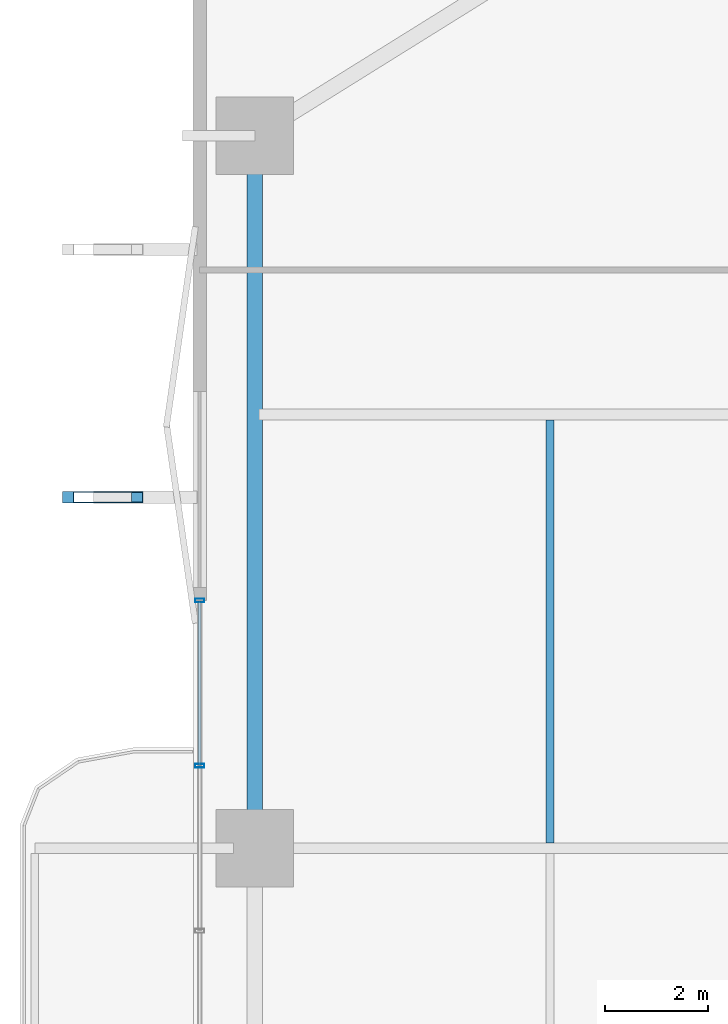
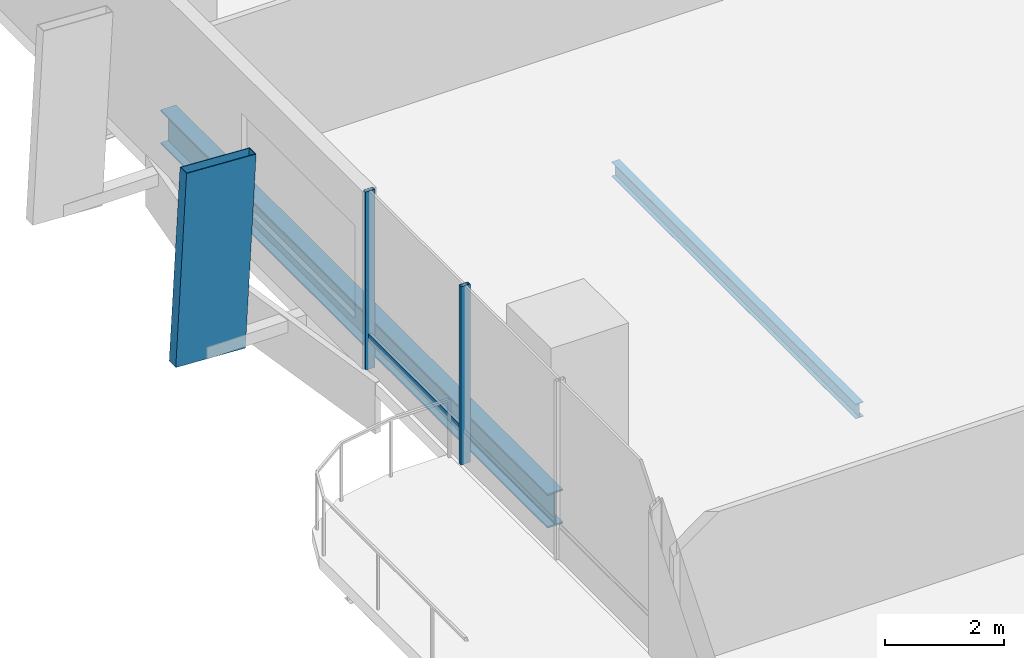
# One storey, part 9 of 24: 4 members, 2 beams, 1 element without a shape of its own.
"""IFC4 building model written with IfcOpenShell, lengths in metres."""

from ifc_helpers import new_model, si_unit, direction, frame, origin, origin_2d, place, context, subcontext, project, spatial, hollow_rectangle, i_section, extrude, material, layer, layer_set, material_profile, profile_set, type_object, element, aggregate, save


model = new_model("IFC4")

# Units and contexts
model_context = context("Model", 3, precision=1e-05, world=origin(), true_north=direction((0.0, 1.0)))
body_context = subcontext(model_context, "Body", "Model", "MODEL_VIEW")
ifc_project = project(units=[si_unit("LENGTHUNIT", "METRE"), si_unit("AREAUNIT", "SQUARE_METRE"), si_unit("VOLUMEUNIT", "CUBIC_METRE"), si_unit("PLANEANGLEUNIT", "RADIAN"), si_unit("MASSUNIT", "GRAM", prefix="KILO")], contexts=[model_context])

# Site, building, storey
site_placement = place(None, origin())
site = spatial("IfcSite", under=ifc_project, at=site_placement, CompositionType="ELEMENT")
building_placement = place(site_placement, origin())
building = spatial("IfcBuilding", under=site, at=building_placement, Name="Belovzor Exchange Tower", CompositionType="ELEMENT")
storey_placement = place(building_placement, frame((0.0, 0.0, 61.199951171875)))
storey = spatial("IfcBuildingStorey", under=building, at=storey_placement, Name="L14", CompositionType="ELEMENT", Elevation=61.199951171875)

# Member
ifc_material_1 = material(Name="Extruded Architectural Terracotta on Steel S355 Carrier", Category="masonry")
ifc_material_profile_1 = material_profile(ifc_material_1, hollow_rectangle(XDim=0.219970703125, YDim=1.35009765625, WallThickness=0.013916015625, at=origin_2d()))
ifc_profile_set_1 = profile_set([ifc_material_profile_1], Name="Extruded Architectural Terracotta on Steel S355 Carrier")
member_type_1 = type_object("IfcMemberType", Name="Base Arc Sweeping Terracotta Pylon Fin 1450", PredefinedType="USERDEFINED", material=ifc_profile_set_1)
member_1_placement = place(storey_placement, frame((-0.948974609375, 35.60009765625, -0.25), z_axis=(0.053756276307, 0.0, 0.998554086045), x_axis=(0.0, 1.0, 0.0)))
element("IfcMember", 1, at=member_1_placement, inside=storey, type_object=member_type_1, Name="FIN-TC145 Terracotta Facade Fin L14 W3", ObjectType="FIN", PredefinedType="USERDEFINED", context=body_context, shape_type="SweptSolid", body=[
    extrude(hollow_rectangle(XDim=0.219970703125, YDim=1.35009765625, WallThickness=0.013916015625, at=origin_2d()), origin(), (0.0, 0.0, 1.0), 3.90576171875),
])

# Beam
ifc_material_2 = material(Name="Steel S355", Category="steel")
ifc_material_profile_2 = material_profile(ifc_material_2, i_section(OverallWidth=0.14990234375, OverallDepth=0.300048828125, WebThickness=0.007080078125, FlangeThickness=0.0107421875, at=origin_2d()))
ifc_profile_set_2 = profile_set([ifc_material_profile_2], Name="Steel S355")
beam_type_1 = type_object("IfcBeamType", Name="Secondary Trim Floor Joist IPE 300", PredefinedType="BEAM", material=ifc_profile_set_2)
beam_1_placement = place(storey_placement, frame((7.81494140625, 28.905029296875, -0.39990234375), z_axis=(0.0, 1.0, 0.0), x_axis=(-1.0, 0.0, 0.0)))
element("IfcBeam", 2, at=beam_1_placement, inside=storey, type_object=beam_type_1, Name="FJ-300 Secondary Trim Floor Joist IPE 300", PredefinedType="BEAM", context=body_context, shape_type="SweptSolid", body=[
    extrude(i_section(OverallWidth=0.14990234375, OverallDepth=0.300048828125, WebThickness=0.007080078125, FlangeThickness=0.0107421875, at=origin_2d()), origin(), (0.0, 0.0, 1.0), 8.18994140625),
])

# Curtain wall, members
ifc_material_3 = material(Name="Anodised Aluminium Framing", Category="aluminium")
ifc_layer = layer(ifc_material_3, 0.179931640625)
ifc_layer_set = layer_set([ifc_layer], Name="Anodised Aluminium Framing")
curtain_wall_type = type_object("IfcCurtainWallType", Name="Recessed Loggia Low-Iron Triple-Glazed Curtain Wall", PredefinedType="NOTDEFINED", material=ifc_layer_set)
curtain_wall_placement = place(storey_placement, origin())
curtain_wall = element("IfcCurtainWall", 3, at=curtain_wall_placement, inside=storey, type_object=curtain_wall_type, Name="CW3 Recessed Loggia Low-Iron Triple-Glazed Curtain Wall L14", PredefinedType="NOTDEFINED")
ifc_material_4 = material(Name="Steel S355", Category="steel")
ifc_material_profile_3 = material_profile(ifc_material_4, hollow_rectangle(XDim=0.074951171875, YDim=0.179931640625, WallThickness=0.0048828125, at=origin_2d()))
ifc_profile_set_3 = profile_set([ifc_material_profile_3], Name="Steel S355")
member_type_2 = type_object("IfcMemberType", Name="Thermally Broken Curtain Wall Mullion 180x75", PredefinedType="MULLION", material=ifc_profile_set_3)
member_2_placement = place(storey_placement, frame((1.030029296875, 30.39990234375, 0.0), z_axis=(0.0, 0.0, 1.0), x_axis=(0.0, 1.0, 0.0)))
member_2 = element("IfcMember", 4, at=member_2_placement, type_object=member_type_2, Name="CW-M180 Curtain Wall Mullion 3", PredefinedType="MULLION", context=body_context, shape_type="SweptSolid", body=[
    extrude(hollow_rectangle(XDim=0.074951171875, YDim=0.179931640625, WallThickness=0.0048828125, at=origin_2d()), origin(), (0.0, 0.0, 1.0), 3.650146484375),
])
member_3_placement = place(storey_placement, frame((1.030029296875, 33.60009765625, 0.0), z_axis=(0.0, 0.0, 1.0), x_axis=(0.0, 1.0, 0.0)))
member_3 = element("IfcMember", 5, at=member_3_placement, type_object=member_type_2, Name="CW-M180 Curtain Wall Mullion 4", PredefinedType="MULLION", context=body_context, shape_type="SweptSolid", body=[
    extrude(hollow_rectangle(XDim=0.074951171875, YDim=0.179931640625, WallThickness=0.0048828125, at=origin_2d()), origin(), (0.0, 0.0, 1.0), 3.650146484375),
])
ifc_material_5 = material(Name="Steel S355", Category="steel")
ifc_material_profile_4 = material_profile(ifc_material_5, hollow_rectangle(XDim=0.06005859375, YDim=0.14990234375, WallThickness=0.00390625, at=origin_2d()))
ifc_profile_set_4 = profile_set([ifc_material_profile_4], Name="Steel S355")
member_type_3 = type_object("IfcMemberType", Name="Thermally Broken Curtain Wall Transom 150x60", PredefinedType="USERDEFINED", material=ifc_profile_set_4)
member_4_placement = place(storey_placement, frame((1.030029296875, 30.407958984375, 0.650146484375), z_axis=(0.0, 1.0, 0.0), x_axis=(-1.0, 0.0, 0.0)))
member_4 = element("IfcMember", 6, at=member_4_placement, type_object=member_type_3, Name="CW-T150 Curtain Wall Transom 3", ObjectType="TRANSOM", PredefinedType="USERDEFINED", context=body_context, shape_type="SweptSolid", body=[
    extrude(hollow_rectangle(XDim=0.06005859375, YDim=0.14990234375, WallThickness=0.00390625, at=origin_2d()), origin(), (0.0, 0.0, 1.0), 3.18408203125),
])
aggregate(curtain_wall, [member_2, member_3, member_4])

# Beam
ifc_material_6 = material(Name="Steel S355", Category="steel")
ifc_material_profile_5 = material_profile(ifc_material_6, i_section(OverallWidth=0.300048828125, OverallDepth=0.699951171875, WebThickness=0.01708984375, FlangeThickness=0.031982421875, at=origin_2d()))
ifc_profile_set_5 = profile_set([ifc_material_profile_5], Name="Steel S355")
beam_type_2 = type_object("IfcBeamType", Name="Zone 1 Primary Perimeter Girder HEB 700", PredefinedType="BEAM", material=ifc_profile_set_5)
beam_2_placement = place(storey_placement, frame((2.10009765625, 42.18798828125, -0.599853515625), z_axis=(0.0, -1.0, 0.0), x_axis=(1.0, 0.0, 0.0)))
element("IfcBeam", 7, at=beam_2_placement, inside=storey, type_object=beam_type_2, Name="FG-Z1 Zone 1 Primary Perimeter Girder HEB 700", PredefinedType="BEAM", context=body_context, shape_type="SweptSolid", body=[
    extrude(i_section(OverallWidth=0.300048828125, OverallDepth=0.699951171875, WebThickness=0.01708984375, FlangeThickness=0.031982421875, at=origin_2d()), origin(), (0.0, 0.0, 1.0), 12.97509765625),
])

save(model, "model.ifc")
